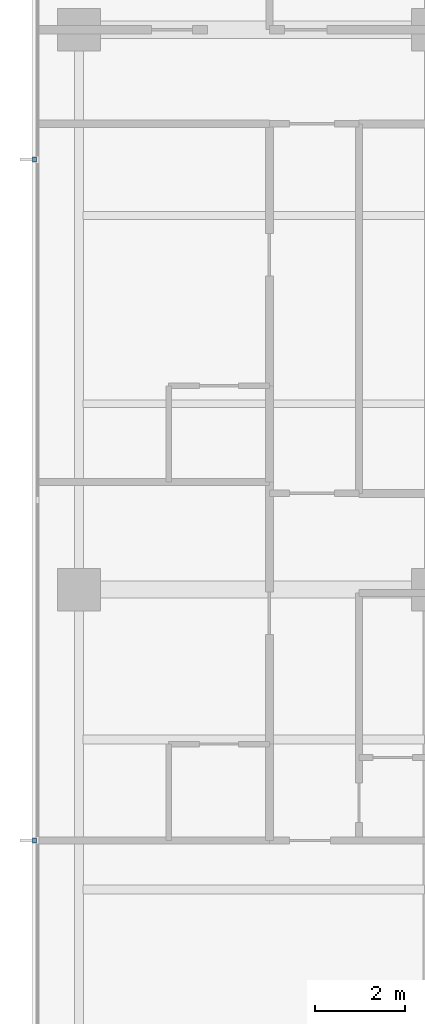
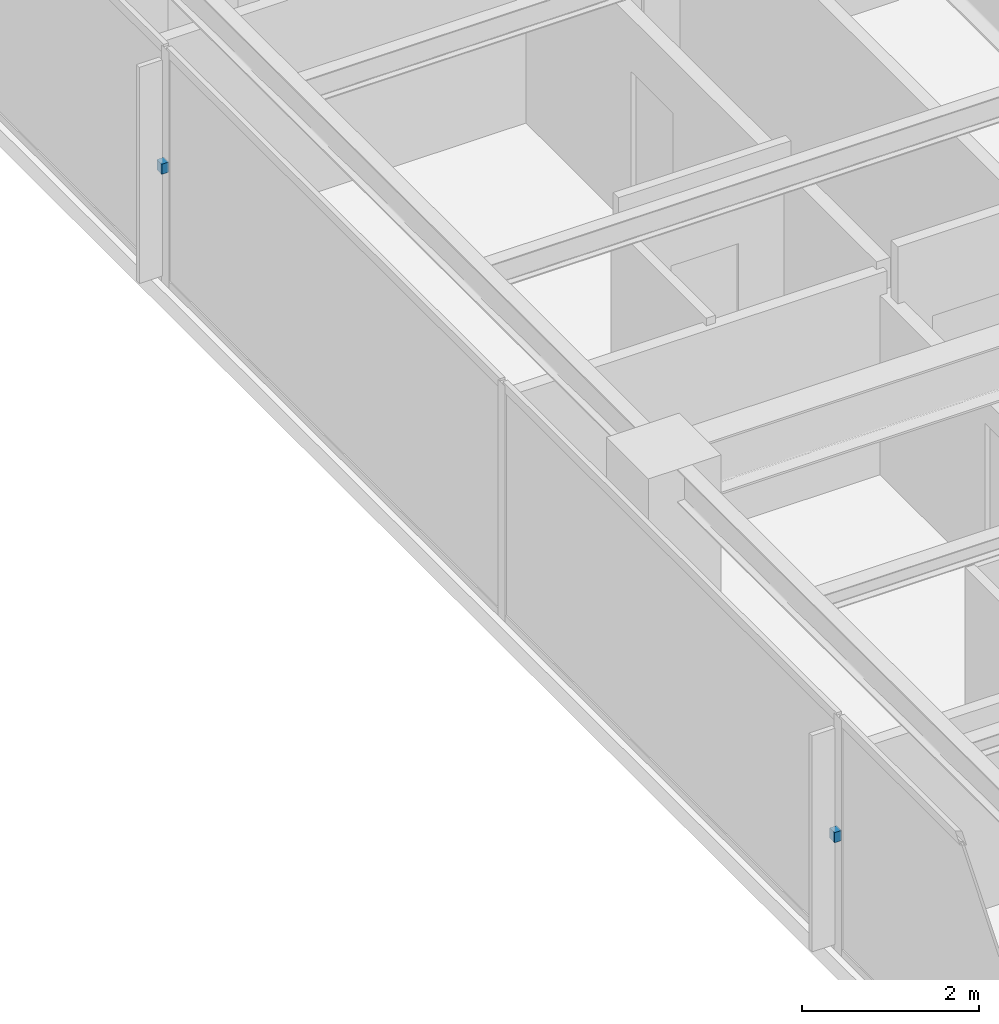
# One storey, part 11 of 14: 2 discrete accessories.
"""IFC4 building model written with IfcOpenShell, lengths in metres."""

from ifc_helpers import new_model, si_unit, direction, frame, origin, place, context, subcontext, project, spatial, polyline, outline, extrude, material, type_object, element, save


model = new_model("IFC4")

# Units and contexts
model_context = context("Model", 3, precision=1e-05, world=origin(), true_north=direction((0.0, 1.0)))
body_context = subcontext(model_context, "Body", "Model", "MODEL_VIEW")
ifc_project = project(units=[si_unit("LENGTHUNIT", "METRE"), si_unit("AREAUNIT", "SQUARE_METRE"), si_unit("VOLUMEUNIT", "CUBIC_METRE"), si_unit("PLANEANGLEUNIT", "RADIAN"), si_unit("MASSUNIT", "GRAM", prefix="KILO")], contexts=[model_context])

# Site, building, storey
site_placement = place(None, origin())
site = spatial("IfcSite", under=ifc_project, at=site_placement, CompositionType="ELEMENT")
building_placement = place(site_placement, origin())
building = spatial("IfcBuilding", under=site, at=building_placement, Name="Qalmaran Belvedere Hotel", CompositionType="ELEMENT")
storey_placement = place(building_placement, frame((0.0, 0.0, 210.89990234375)))
storey = spatial("IfcBuildingStorey", under=building, at=storey_placement, Name="L53", CompositionType="ELEMENT", Elevation=210.89990234375)

# Discrete accessories
ifc_material = material(Name="Stainless Steel 1.4401", Category="steel")
discrete_accessory_type = type_object("IfcDiscreteAccessoryType", Name="BRK-FIN-SS316", PredefinedType="BRACKET", material=ifc_material)
discrete_accessory_1_placement = place(storey_placement, frame((0.0, 0.0, 1.580078125)))
element("IfcDiscreteAccessory", 1, at=discrete_accessory_1_placement, inside=storey, type_object=discrete_accessory_type, Name="L53 Fin Bracket 1", PredefinedType="BRACKET", context=body_context, shape_type="SweptSolid", body=[
    extrude(outline(polyline([(11.455078125, 30.155029296875), (11.362548828125, 30.155029296875), (11.362548828125, 30.044921875), (11.455078125, 30.044921875), (11.455078125, 30.155029296875)])), origin(), (0.0, 0.0, 1.0), 0.14013671875),
])
discrete_accessory_2_placement = place(storey_placement, frame((0.0, 0.0, 1.580078125)))
element("IfcDiscreteAccessory", 2, at=discrete_accessory_2_placement, inside=storey, type_object=discrete_accessory_type, Name="L53 Fin Bracket 3", PredefinedType="BRACKET", context=body_context, shape_type="SweptSolid", body=[
    extrude(outline(polyline([(11.455078125, 14.955078125), (11.362548828125, 14.955078125), (11.362548828125, 14.844970703125), (11.455078125, 14.844970703125), (11.455078125, 14.955078125)])), origin(), (0.0, 0.0, 1.0), 0.14013671875),
])

save(model, "model.ifc")
